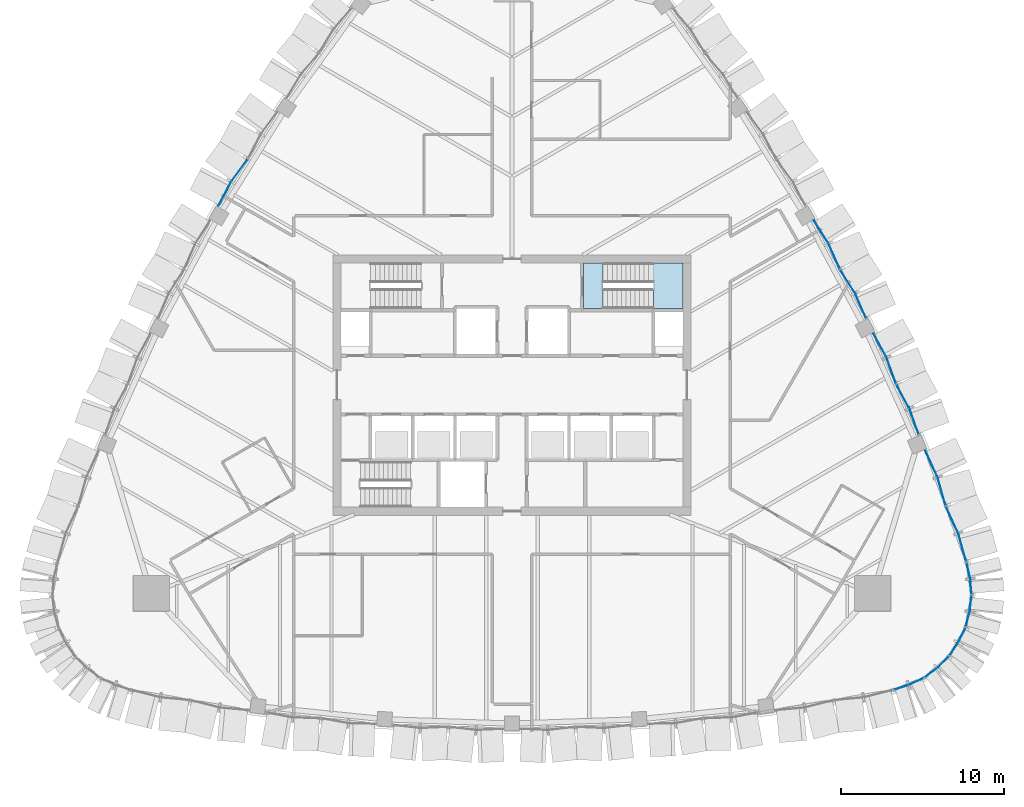
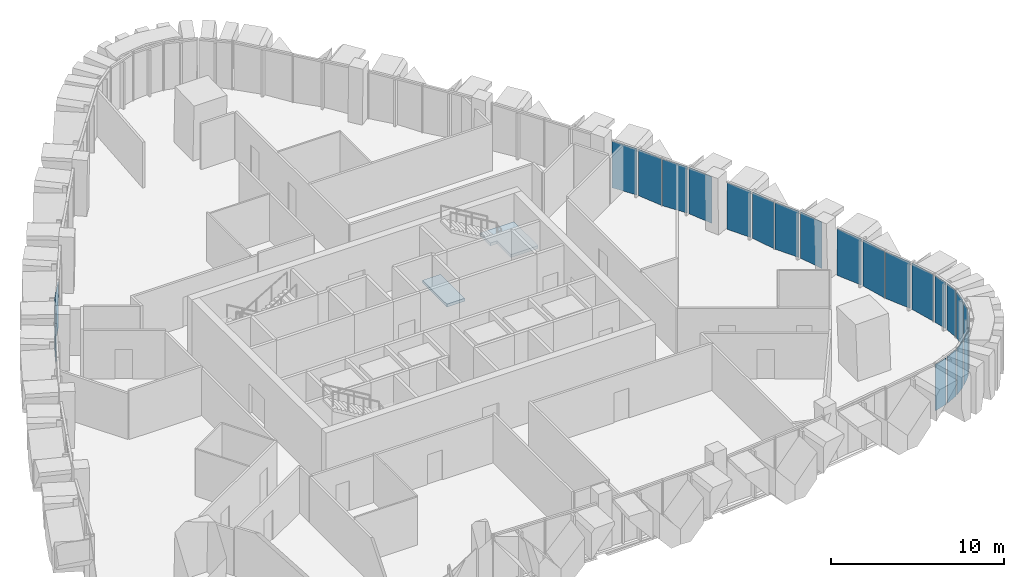
# One storey, part 10 of 19: 24 plates, 2 slabs, 10 elements without a shape of their own.
"""IFC4 building model written with IfcOpenShell, lengths in metres."""

from ifc_helpers import new_model, si_unit, direction, frame, origin, place, context, subcontext, project, spatial, polyline, outline, extrude, material, layer, layer_set, type_object, element, aggregate, save


model = new_model("IFC4")

# Units and contexts
model_context = context("Model", 3, precision=1e-05, world=origin(), true_north=direction((0.0, 1.0)))
body_context = subcontext(model_context, "Body", "Model", "MODEL_VIEW")
ifc_project = project(units=[si_unit("LENGTHUNIT", "METRE"), si_unit("AREAUNIT", "SQUARE_METRE"), si_unit("VOLUMEUNIT", "CUBIC_METRE"), si_unit("PLANEANGLEUNIT", "RADIAN"), si_unit("MASSUNIT", "GRAM", prefix="KILO")], contexts=[model_context])

# Site, building, storey
site_placement = place(None, origin())
site = spatial("IfcSite", under=ifc_project, at=site_placement, CompositionType="ELEMENT")
building_placement = place(site_placement, origin())
building = spatial("IfcBuilding", under=site, at=building_placement, Name="Sierra Prisma Convention Tower", CompositionType="ELEMENT")
storey_placement = place(building_placement, frame((0.0, 0.0, 235.0)))
storey = spatial("IfcBuildingStorey", under=building, at=storey_placement, Name="L52", CompositionType="ELEMENT", Elevation=235.0)

# Curtain wall, plates
ifc_material_1 = material(Name="Aluminium and glass curtain wall", Category="aluminium")
ifc_layer_1 = layer(ifc_material_1, 0.179931640625)
ifc_layer_set_1 = layer_set([ifc_layer_1], Name="CW-2 Faceted crystal curtain wall")
curtain_wall_type = type_object("IfcCurtainWallType", Name="CW-2 Faceted crystal curtain wall", PredefinedType="NOTDEFINED", material=ifc_layer_set_1)
curtain_wall_1_placement = place(storey_placement, origin())
curtain_wall_1 = element("IfcCurtainWall", 1, at=curtain_wall_1_placement, inside=storey, type_object=curtain_wall_type, Name="CW-2 SE1 L52", PredefinedType="NOTDEFINED")
ifc_material_2 = material(Name="Tinted glass bronze-grey IGU", Category="glass")
ifc_layer_2 = layer(ifc_material_2, 0.028076171875)
ifc_layer_set_2 = layer_set([ifc_layer_2], Name="CW-2 crystal pane")
plate_type = type_object("IfcPlateType", Name="CW-2 crystal pane", PredefinedType="CURTAIN_PANEL", material=ifc_layer_set_2)
plate_1_placement = place(storey_placement, frame((23.47802734375, -18.718505859375, 0.0), z_axis=(0.290459053156, -0.95688742203, 0.0), x_axis=(0.95688742203, 0.290459053156, 0.0)))
plate_1 = element("IfcPlate", 2, at=plate_1_placement, type_object=plate_type, Name="CW-2 pane SE1.1.1", PredefinedType="CURTAIN_PANEL", context=body_context, shape_type="SweptSolid", body=[
    extrude(outline(polyline([(0.0, 0.0), (0.8850819946279896, 0.0), (0.8850819946279896, 3.280029296875), (0.0, 3.280029296875), (0.0, 0.0)])), origin(), (0.0, 0.0, -1.0), 0.028076171875),
])
plate_2_placement = place(storey_placement, frame((25.241943359375, -18.02783203125, 0.0), z_axis=(0.436591520843, -0.899659849014, 0.0), x_axis=(-0.899659849014, -0.436591520843, 0.0)))
plate_2 = element("IfcPlate", 3, at=plate_2_placement, type_object=plate_type, Name="CW-2 pane SE1.1.2", PredefinedType="CURTAIN_PANEL", context=body_context, shape_type="SweptSolid", body=[
    extrude(outline(polyline([(0.0, 0.0), (0.8852086926216611, 0.0), (0.8852086926216611, -3.280029296875), (0.0, -3.280029296875), (0.0, 0.0)])), origin(), (0.0, 0.0, -1.0), 0.028076171875),
])
aggregate(curtain_wall_1, [plate_1, plate_2])

curtain_wall_2_placement = place(storey_placement, origin())
curtain_wall_2 = element("IfcCurtainWall", 4, at=curtain_wall_2_placement, inside=storey, type_object=curtain_wall_type, Name="CW-2 SE2 L52", PredefinedType="NOTDEFINED")
plate_3_placement = place(storey_placement, frame((25.360107421875, -17.956787109375, 0.0), z_axis=(0.590514375743, -0.807027119768, 0.0), x_axis=(0.807027119768, 0.590514375743, 0.0)))
plate_3 = element("IfcPlate", 5, at=plate_3_placement, type_object=plate_type, Name="CW-2 pane SE2.1.1", PredefinedType="CURTAIN_PANEL", context=body_context, shape_type="SweptSolid", body=[
    extrude(outline(polyline([(0.0, 0.0), (0.8851690993424334, 0.0), (0.8851690993424334, 3.280029296875), (0.0, 3.280029296875), (0.0, 0.0)])), origin(), (0.0, 0.0, -1.0), 0.028076171875),
])
plate_4_placement = place(storey_placement, frame((26.796630859375, -16.7216796875, 0.0), z_axis=(0.709447491188, -0.70475829704, 0.0), x_axis=(-0.70475829704, -0.709447491188, 0.0)))
plate_4 = element("IfcPlate", 6, at=plate_4_placement, type_object=plate_type, Name="CW-2 pane SE2.1.2", PredefinedType="CURTAIN_PANEL", context=body_context, shape_type="SweptSolid", body=[
    extrude(outline(polyline([(0.0, 0.0), (0.8850967764339203, 0.0), (0.8850967764339203, -3.280029296875), (0.0, -3.280029296875), (0.0, 0.0)])), origin(), (0.0, 0.0, -1.0), 0.028076171875),
])
aggregate(curtain_wall_2, [plate_3, plate_4])

curtain_wall_3_placement = place(storey_placement, origin())
curtain_wall_3 = element("IfcCurtainWall", 7, at=curtain_wall_3_placement, inside=storey, type_object=curtain_wall_type, Name="CW-2 SE3 L52", PredefinedType="NOTDEFINED")
plate_5_placement = place(storey_placement, frame((26.884521484375, -16.615478515625, 0.0), z_axis=(0.823985577929, -0.566610772369, 0.0), x_axis=(0.566610772369, 0.823985577929, 0.0)))
plate_5 = element("IfcPlate", 8, at=plate_5_placement, type_object=plate_type, Name="CW-2 pane SE3.1.1", PredefinedType="CURTAIN_PANEL", context=body_context, shape_type="SweptSolid", body=[
    extrude(outline(polyline([(0.0, 0.0), (0.8850252557911633, 0.0), (0.8850252557911633, 3.280029296875), (0.0, 3.280029296875), (0.0, 0.0)])), origin(), (0.0, 0.0, -1.0), 0.028076171875),
])
plate_6_placement = place(storey_placement, frame((27.831787109375, -14.97509765625, 0.0), z_axis=(0.902549261235, -0.43058661271, 0.0), x_axis=(-0.43058661271, -0.902549261235, 0.0)))
plate_6 = element("IfcPlate", 9, at=plate_6_placement, type_object=plate_type, Name="CW-2 pane SE3.1.2", PredefinedType="CURTAIN_PANEL", context=body_context, shape_type="SweptSolid", body=[
    extrude(outline(polyline([(0.0, 0.0), (0.8850798059569264, 0.0), (0.8850798059569264, -3.280029296875), (0.0, -3.280029296875), (0.0, 0.0)])), origin(), (0.0, 0.0, -1.0), 0.028076171875),
])
aggregate(curtain_wall_3, [plate_5, plate_6])

curtain_wall_4_placement = place(storey_placement, origin())
curtain_wall_4 = element("IfcCurtainWall", 10, at=curtain_wall_4_placement, inside=storey, type_object=curtain_wall_type, Name="CW-2 SE4 L52", PredefinedType="NOTDEFINED")
plate_7_placement = place(storey_placement, frame((27.8798828125, -14.845703125, 0.0), z_axis=(0.965132060483, -0.261763453958, 0.0), x_axis=(0.261763453958, 0.965132060483, 0.0)))
plate_7 = element("IfcPlate", 11, at=plate_7_placement, type_object=plate_type, Name="CW-2 pane SE4.1.1", PredefinedType="CURTAIN_PANEL", context=body_context, shape_type="SweptSolid", body=[
    extrude(outline(polyline([(0.0, 0.0), (0.8851100091396062, 0.0), (0.8851100091396062, 3.280029296875), (0.0, 3.280029296875), (0.0, 0.0)])), origin(), (0.0, 0.0, -1.0), 0.028076171875),
])
plate_8_placement = place(storey_placement, frame((28.231201171875, -12.984130859375, 0.0), z_axis=(0.994166345795, -0.107857669591, 0.0), x_axis=(-0.107857669591, -0.994166345795, 0.0)))
plate_8 = element("IfcPlate", 12, at=plate_8_placement, type_object=plate_type, Name="CW-2 pane SE4.1.2", PredefinedType="CURTAIN_PANEL", context=body_context, shape_type="SweptSolid", body=[
    extrude(outline(polyline([(0.0, 0.0), (0.8850458640267276, 0.0), (0.8850458640267276, -3.280029296875), (0.0, -3.280029296875), (0.0, 0.0)])), origin(), (0.0, 0.0, -1.0), 0.028076171875),
])
aggregate(curtain_wall_4, [plate_7, plate_8])

curtain_wall_5_placement = place(storey_placement, origin())
curtain_wall_5 = element("IfcCurtainWall", 13, at=curtain_wall_5_placement, inside=storey, type_object=curtain_wall_type, Name="CW-2 SE5 L52", PredefinedType="NOTDEFINED")
plate_9_placement = place(storey_placement, frame((28.233642578125, -12.84619140625, 0.0), z_axis=(0.997405215701, 0.071991914076, 0.0), x_axis=(-0.071991914076, 0.997405215701, 0.0)))
plate_9 = element("IfcPlate", 14, at=plate_9_placement, type_object=plate_type, Name="CW-2 pane SE5.1.1", PredefinedType="CURTAIN_PANEL", context=body_context, shape_type="SweptSolid", body=[
    extrude(outline(polyline([(0.0, 0.0), (0.8851091673703275, 0.0), (0.8851091673703275, 3.280029296875), (0.0, 3.280029296875), (0.0, 0.0)])), origin(), (0.0, 0.0, -1.0), 0.028076171875),
])
plate_10_placement = place(storey_placement, frame((27.949462890625, -10.973388671875, 0.0), z_axis=(0.973820857159, 0.227316823314, 0.0), x_axis=(0.227316823314, -0.973820857159, 0.0)))
plate_10 = element("IfcPlate", 15, at=plate_10_placement, type_object=plate_type, Name="CW-2 pane SE5.1.2", PredefinedType="CURTAIN_PANEL", context=body_context, shape_type="SweptSolid", body=[
    extrude(outline(polyline([(0.0, 0.0), (0.884984543013425, 0.0), (0.884984543013425, -3.280029296875001), (0.0, -3.280029296875001), (0.0, 0.0)])), origin(), (0.0, 0.0, -1.0), 0.028076171875),
])
aggregate(curtain_wall_5, [plate_9, plate_10])

curtain_wall_6_placement = place(storey_placement, origin())
curtain_wall_6 = element("IfcCurtainWall", 16, at=curtain_wall_6_placement, inside=storey, type_object=curtain_wall_type, Name="CW-2 NE1 L52", PredefinedType="NOTDEFINED")
plate_11_placement = place(storey_placement, frame((27.914794921875, -10.83837890625, 0.0), z_axis=(0.962554881926, 0.271086885114, 0.0), x_axis=(-0.271086885114, 0.962554881926, 0.0)))
plate_11 = element("IfcPlate", 17, at=plate_11_placement, type_object=plate_type, Name="CW-2 pane NE1.1.1", PredefinedType="CURTAIN_PANEL", context=body_context, shape_type="SweptSolid", body=[
    extrude(outline(polyline([(0.0, 0.0), (1.7399576054812573, 0.0), (1.7399576054812573, 3.280029296875001), (0.0, 3.280029296875001), (0.0, 0.0)])), origin(), (0.0, 0.0, -1.0), 0.028076171875),
])
plate_12_placement = place(storey_placement, frame((26.67041015625, -7.461669921875, 0.0), z_axis=(0.908308164692, 0.418301659037, 0.0), x_axis=(0.418301659037, -0.908308164692, 0.0)))
plate_12 = element("IfcPlate", 18, at=plate_12_placement, type_object=plate_type, Name="CW-2 pane NE1.1.2", PredefinedType="CURTAIN_PANEL", context=body_context, shape_type="SweptSolid", body=[
    extrude(outline(polyline([(0.0, 0.0), (1.7398525379988439, 0.0), (1.7398525379988439, -3.280029296875001), (0.0, -3.280029296875001), (0.0, 0.0)])), origin(), (0.0, 0.0, -1.0), 0.028076171875),
])
plate_13_placement = place(storey_placement, frame((26.646240234375, -7.39599609375, 0.0), z_axis=(0.962518261534, 0.2712168804, 0.0), x_axis=(-0.2712168804, 0.962518261534, 0.0)))
plate_13 = element("IfcPlate", 19, at=plate_13_placement, type_object=plate_type, Name="CW-2 pane NE1.2.1", PredefinedType="CURTAIN_PANEL", context=body_context, shape_type="SweptSolid", body=[
    extrude(outline(polyline([(0.0, 0.0), (1.7400238046716854, 0.0), (1.7400238046716854, 3.280029296875), (0.0, 3.280029296875), (0.0, 0.0)])), origin(), (0.0, 0.0, -1.0), 0.028076171875),
])
plate_14_placement = place(storey_placement, frame((25.401611328125, -4.019287109375, 0.0), z_axis=(0.908254845322, 0.418417418315, 0.0), x_axis=(0.418417418315, -0.908254845322, 0.0)))
plate_14 = element("IfcPlate", 20, at=plate_14_placement, type_object=plate_type, Name="CW-2 pane NE1.2.2", PredefinedType="CURTAIN_PANEL", context=body_context, shape_type="SweptSolid", body=[
    extrude(outline(polyline([(0.0, 0.0), (1.7399546765585057, 0.0), (1.7399546765585057, -3.280029296875), (0.0, -3.280029296875), (0.0, 0.0)])), origin(), (0.0, 0.0, -1.0), 0.028076171875),
])
aggregate(curtain_wall_6, [plate_11, plate_12, plate_13, plate_14])

curtain_wall_7_placement = place(storey_placement, origin())
curtain_wall_7 = element("IfcCurtainWall", 21, at=curtain_wall_7_placement, inside=storey, type_object=curtain_wall_type, Name="CW-2 NE2 L52", PredefinedType="NOTDEFINED")
plate_15_placement = place(storey_placement, frame((24.9912109375, -3.016845703125, 0.0), z_axis=(0.941810252503, 0.336144981043, 0.0), x_axis=(-0.336144981043, 0.941810252503, 0.0)))
plate_15 = element("IfcPlate", 22, at=plate_15_placement, type_object=plate_type, Name="CW-2 pane NE2.1.1", PredefinedType="CURTAIN_PANEL", context=body_context, shape_type="SweptSolid", body=[
    extrude(outline(polyline([(0.0, 0.0), (1.616007738506796, 0.0), (1.616007738506796, 3.280029296875), (0.0, 3.280029296875), (0.0, 0.0)])), origin(), (0.0, 0.0, -1.0), 0.028076171875),
])
plate_16_placement = place(storey_placement, frame((23.620361328125, 0.041748046875, 0.0), z_axis=(0.877612509171, 0.479370716405, 0.0), x_axis=(0.479370716405, -0.877612509171, 0.0)))
plate_16 = element("IfcPlate", 23, at=plate_16_placement, type_object=plate_type, Name="CW-2 pane NE2.1.2", PredefinedType="CURTAIN_PANEL", context=body_context, shape_type="SweptSolid", body=[
    extrude(outline(polyline([(0.0, 0.0), (1.615989831281055, 0.0), (1.615989831281055, -3.2800292968749996), (0.0, -3.2800292968749996), (0.0, 0.0)])), origin(), (0.0, 0.0, -1.0), 0.028076171875),
])
plate_17_placement = place(storey_placement, frame((23.591796875, 0.105712890625, 0.0), z_axis=(0.941810252503, 0.336144981043, 0.0), x_axis=(-0.336144981043, 0.941810252503, 0.0)))
plate_17 = element("IfcPlate", 24, at=plate_17_placement, type_object=plate_type, Name="CW-2 pane NE2.2.1", PredefinedType="CURTAIN_PANEL", context=body_context, shape_type="SweptSolid", body=[
    extrude(outline(polyline([(0.0, 0.0), (1.616007738506796, 0.0), (1.616007738506796, 3.280029296875), (0.0, 3.280029296875), (0.0, 0.0)])), origin(), (0.0, 0.0, -1.0), 0.028076171875),
])
plate_18_placement = place(storey_placement, frame((22.22119140625, 3.164306640625, 0.0), z_axis=(0.877676064865, 0.479254342873, 0.0), x_axis=(0.479254342873, -0.877676064865, 0.0)))
plate_18 = element("IfcPlate", 25, at=plate_18_placement, type_object=plate_type, Name="CW-2 pane NE2.2.2", PredefinedType="CURTAIN_PANEL", context=body_context, shape_type="SweptSolid", body=[
    extrude(outline(polyline([(0.0, 0.0), (1.615872811619984, 0.0), (1.615872811619984, -3.280029296875001), (0.0, -3.280029296875001), (0.0, 0.0)])), origin(), (0.0, 0.0, -1.0), 0.028076171875),
])
aggregate(curtain_wall_7, [plate_15, plate_16, plate_17, plate_18])

curtain_wall_8_placement = place(storey_placement, origin())
curtain_wall_8 = element("IfcCurtainWall", 26, at=curtain_wall_8_placement, inside=storey, type_object=curtain_wall_type, Name="CW-2 NE3 L52", PredefinedType="NOTDEFINED")
plate_19_placement = place(storey_placement, frame((21.75830078125, 4.108642578125, 0.0), z_axis=(0.916701612308, 0.399572464007, 0.0), x_axis=(-0.399572464007, 0.916701612308, 0.0)))
plate_19 = element("IfcPlate", 27, at=plate_19_placement, type_object=plate_type, Name="CW-2 pane NE3.1.1", PredefinedType="CURTAIN_PANEL", context=body_context, shape_type="SweptSolid", body=[
    extrude(outline(polyline([(0.0, 0.0), (1.6240503030230522, 0.0), (1.6240503030230522, 3.280029296875), (0.0, 3.280029296875), (0.0, 0.0)])), origin(), (0.0, 0.0, -1.0), 0.028076171875),
])
plate_20_placement = place(storey_placement, frame((20.1748046875, 7.080810546875, 0.0), z_axis=(0.842961369264, 0.537974097824, 0.0), x_axis=(0.537974097824, -0.842961369264, 0.0)))
plate_20 = element("IfcPlate", 28, at=plate_20_placement, type_object=plate_type, Name="CW-2 pane NE3.1.2", PredefinedType="CURTAIN_PANEL", context=body_context, shape_type="SweptSolid", body=[
    extrude(outline(polyline([(0.0, 0.0), (1.6242032848977865, 0.0), (1.6242032848977865, -3.280029296875), (0.0, -3.280029296875), (0.0, 0.0)])), origin(), (0.0, 0.0, -1.0), 0.028076171875),
])
plate_21_placement = place(storey_placement, frame((20.141845703125, 7.142578125, 0.0), z_axis=(0.916756670449, 0.399446125514, 0.0), x_axis=(-0.399446125514, 0.916756670449, 0.0)))
plate_21 = element("IfcPlate", 29, at=plate_21_placement, type_object=plate_type, Name="CW-2 pane NE3.2.1", PredefinedType="CURTAIN_PANEL", context=body_context, shape_type="SweptSolid", body=[
    extrude(outline(polyline([(0.0, 0.0), (1.623952766573673, 0.0), (1.623952766573673, 3.280029296875), (0.0, 3.280029296875), (0.0, 0.0)])), origin(), (0.0, 0.0, -1.0), 0.028076171875),
])
plate_22_placement = place(storey_placement, frame((18.558349609375, 10.11474609375, 0.0), z_axis=(0.842961369264, 0.537974097824, 0.0), x_axis=(0.537974097824, -0.842961369264, 0.0)))
plate_22 = element("IfcPlate", 30, at=plate_22_placement, type_object=plate_type, Name="CW-2 pane NE3.2.2", PredefinedType="CURTAIN_PANEL", context=body_context, shape_type="SweptSolid", body=[
    extrude(outline(polyline([(0.0, 0.0), (1.6242032848977865, 0.0), (1.6242032848977865, -3.280029296875), (0.0, -3.280029296875), (0.0, 0.0)])), origin(), (0.0, 0.0, -1.0), 0.028076171875),
])
aggregate(curtain_wall_8, [plate_19, plate_20, plate_21, plate_22])

curtain_wall_9_placement = place(storey_placement, origin())
curtain_wall_9 = element("IfcCurtainWall", 31, at=curtain_wall_9_placement, inside=storey, type_object=curtain_wall_type, Name="CW-2 NW3 L52", PredefinedType="NOTDEFINED")
plate_23_placement = place(storey_placement, frame((-16.256591796875, 13.8720703125, 0.0), z_axis=(-0.804344833459, 0.594162762959, 0.0), x_axis=(-0.594162762959, -0.804344833459, 0.0)))
plate_23 = element("IfcPlate", 32, at=plate_23_placement, type_object=plate_type, Name="CW-2 pane NW3.2.1", PredefinedType="CURTAIN_PANEL", context=body_context, shape_type="SweptSolid", body=[
    extrude(outline(polyline([(0.0, 0.0), (1.6238711177300005, 0.0), (1.6238711177300005, 3.280029296875), (0.0, 3.280029296875), (0.0, 0.0)])), origin(), (0.0, 0.0, -1.0), 0.028076171875),
])
plate_24_placement = place(storey_placement, frame((-18.038818359375, 11.014892578125, 0.0), z_axis=(-0.887342309221, 0.46111129488, 0.0), x_axis=(0.46111129488, 0.887342309221, 0.0)))
plate_24 = element("IfcPlate", 33, at=plate_24_placement, type_object=plate_type, Name="CW-2 pane NW3.2.2", PredefinedType="CURTAIN_PANEL", context=body_context, shape_type="SweptSolid", body=[
    extrude(outline(polyline([(0.0, 0.0), (1.6238580689503763, 0.0), (1.6238580689503763, -3.280029296875), (0.0, -3.280029296875), (0.0, 0.0)])), origin(), (0.0, 0.0, -1.0), 0.028076171875),
])
aggregate(curtain_wall_9, [plate_23, plate_24])

# Stair, slab
ifc_material_3 = material(Name="Concrete C30/37", Category="concrete")
stair_type = type_object("IfcStairType", Name="Stair dog-leg 1200 RC", PredefinedType="HALF_TURN_STAIR", material=ifc_material_3)
stair_placement = place(storey_placement, origin())
stair = element("IfcStair", 34, at=stair_placement, inside=storey, type_object=stair_type, Name="L52 S4", PredefinedType="HALF_TURN_STAIR")
ifc_material_4 = material(Name="Concrete C35/45", Category="concrete")
ifc_layer_3 = layer(ifc_material_4, 0.199951171875)
ifc_layer_set_3 = layer_set([ifc_layer_3], Name="Stair landing slab")
slab_type = type_object("IfcSlabType", Name="Stair landing slab", PredefinedType="LANDING", material=ifc_layer_set_3)
slab_1_placement = place(storey_placement, frame((0.0, 0.0, 1.800048828125)))
slab_1 = element("IfcSlab", 35, at=slab_1_placement, type_object=slab_type, Name="S4 landing 1", PredefinedType="LANDING", context=body_context, shape_type="SweptSolid", body=[
    extrude(outline(polyline([(10.5, 7.5), (10.5, 4.699951171875), (8.677978515625, 4.699951171875), (8.677978515625, 6.300048828125), (8.22998046875, 6.300048828125), (8.22998046875, 7.5), (10.5, 7.5)])), origin(), (0.0, 0.0, 1.0), 0.199951171875),
])
aggregate(stair, [slab_1])

# Slab
slab_2_placement = place(storey_placement, frame((0.0, 0.0, -0.199951171875)))
element("IfcSlab", 36, at=slab_2_placement, inside=storey, type_object=slab_type, Name="S4 floor landing L52", PredefinedType="LANDING", context=body_context, shape_type="SweptSolid", body=[
    extrude(outline(polyline([(4.39990234375, 4.699951171875), (5.60205078125, 4.699951171875), (5.60205078125, 7.5), (4.39990234375, 7.5), (4.39990234375, 4.699951171875)])), origin(), (0.0, 0.0, 1.0), 0.199951171875),
])

save(model, "model.ifc")
